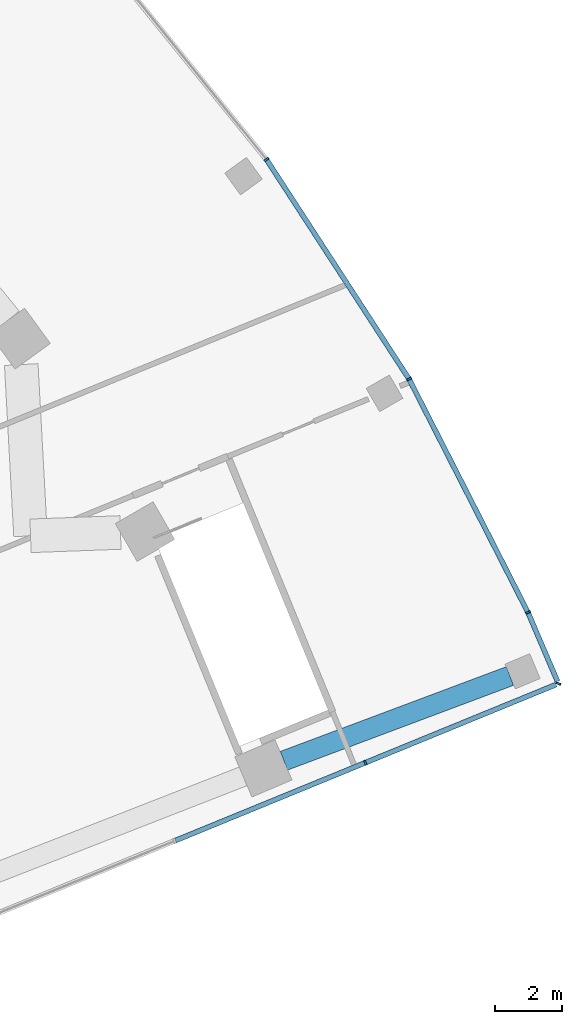
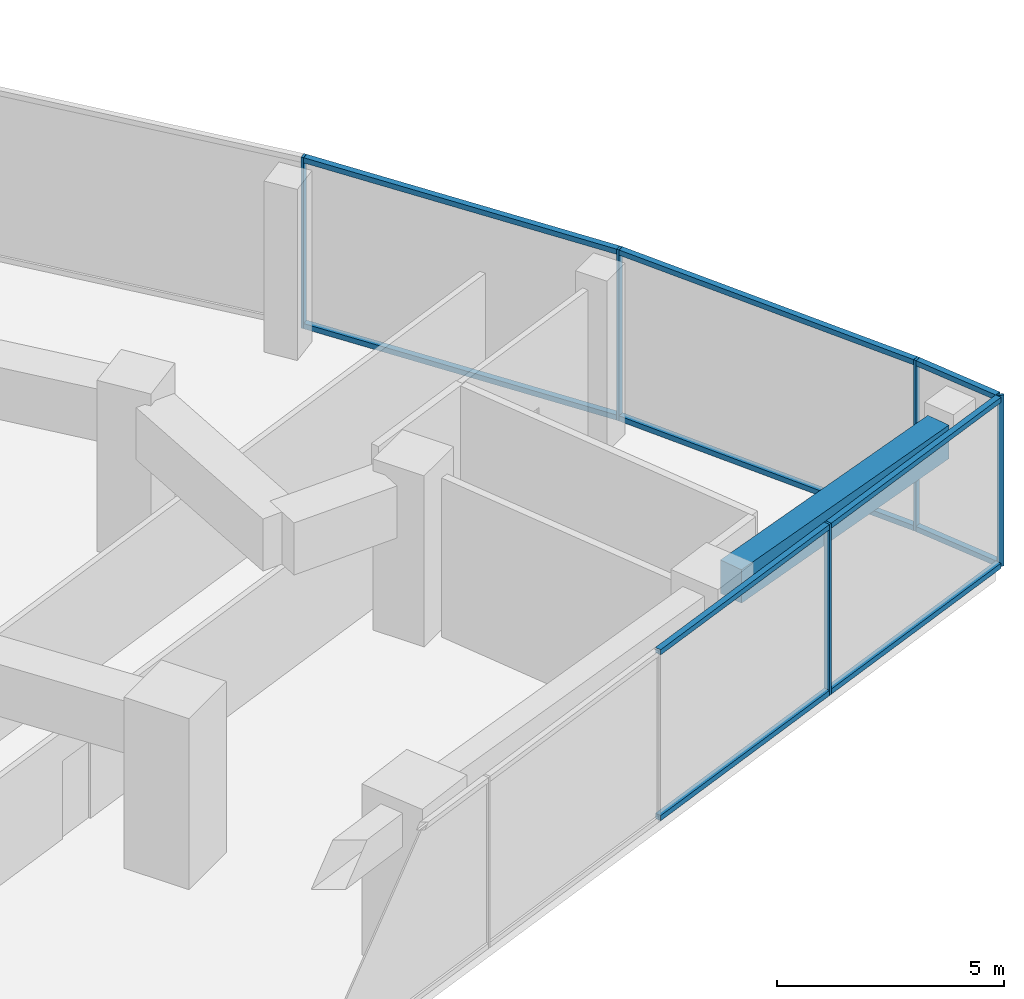
# One storey, part 17 of 33: 15 members, 1 beam, 2 elements without a shape of their own.
"""IFC4 building model written with IfcOpenShell, lengths in metres."""

from ifc_helpers import new_model, si_unit, direction, frame, origin, origin_2d, place, context, subcontext, project, spatial, rectangle, extrude, material, layer, layer_set, material_profile, profile_set, type_object, element, aggregate, save


model = new_model("IFC4")

# Units and contexts
model_context = context("Model", 3, precision=1e-05, world=origin(), true_north=direction((0.0, 1.0)))
body_context = subcontext(model_context, "Body", "Model", "MODEL_VIEW")
ifc_project = project(units=[si_unit("LENGTHUNIT", "METRE"), si_unit("AREAUNIT", "SQUARE_METRE"), si_unit("VOLUMEUNIT", "CUBIC_METRE"), si_unit("PLANEANGLEUNIT", "RADIAN"), si_unit("MASSUNIT", "GRAM", prefix="KILO")], contexts=[model_context])

# Site, building, storey
site_placement = place(None, origin())
site = spatial("IfcSite", under=ifc_project, at=site_placement, CompositionType="ELEMENT")
building_placement = place(site_placement, origin())
building = spatial("IfcBuilding", under=site, at=building_placement, Name="Stone Belt Terrace Tower", CompositionType="ELEMENT")
storey_placement = place(building_placement, frame((0.0, 0.0, 25.39990234375)))
storey = spatial("IfcBuildingStorey", under=building, at=storey_placement, Name="L05", CompositionType="ELEMENT", Elevation=25.39990234375)

# Curtain wall, member
ifc_material_1 = material(Name="Aluminium 6063-T6 anodised frame", Category="aluminium")
ifc_layer = layer(ifc_material_1, 0.14990234375)
ifc_layer_set = layer_set([ifc_layer], Name="CW-D podium shopfront")
curtain_wall_type = type_object("IfcCurtainWallType", Name="CW-D podium shopfront", PredefinedType="NOTDEFINED", material=ifc_layer_set)
curtain_wall_1_placement = place(storey_placement, origin())
curtain_wall_1 = element("IfcCurtainWall", 1, at=curtain_wall_1_placement, inside=storey, type_object=curtain_wall_type, Name="CW-D end face L05", PredefinedType="NOTDEFINED")
ifc_material_profile_1 = material_profile(ifc_material_1, rectangle(XDim=0.14990234375, YDim=0.06005859375, at=origin_2d()), Name="Aluminium 6063-T6 60x150")
ifc_profile_set_1 = profile_set([ifc_material_profile_1], Name="Aluminium 6063-T6 anodised frame")
member_type_1 = type_object("IfcMemberType", Name="CW-D mullion 60 x 150", PredefinedType="MULLION", material=ifc_profile_set_1)
member_1_placement = place(storey_placement, frame((63.279052734375, 25.8544921875, 0.0), z_axis=(0.0, 0.0, 1.0), x_axis=(-0.379243093825, 0.925297074342, 0.0)))
member_1 = element("IfcMember", 2, at=member_1_placement, type_object=member_type_1, Name="CW-D mullion 7", PredefinedType="MULLION", context=body_context, shape_type="SweptSolid", body=[
    extrude(rectangle(XDim=0.14990234375, YDim=0.06005859375, at=origin_2d()), origin(), (0.0, 0.0, 1.0), 4.60009765625),
])

# Curtain wall, members
curtain_wall_2_placement = place(storey_placement, origin())
curtain_wall_2 = element("IfcCurtainWall", 3, at=curtain_wall_2_placement, inside=storey, type_object=curtain_wall_type, Name="CW-D convex face L05", PredefinedType="NOTDEFINED")
member_2_placement = place(storey_placement, frame((69.033447265625, 28.213134765625, 0.0), z_axis=(0.0, 0.0, 1.0), x_axis=(-0.925309719849, 0.379212239192, 0.0)))
member_2 = element("IfcMember", 4, at=member_2_placement, type_object=member_type_1, Name="CW-D mullion 1", PredefinedType="MULLION", context=body_context, shape_type="SweptSolid", body=[
    extrude(rectangle(XDim=0.14990234375, YDim=0.06005859375, at=origin_2d()), origin(), (0.0, 0.0, 1.0), 4.60009765625),
])
member_3_placement = place(storey_placement, frame((68.127197265625, 30.333740234375, 0.0), z_axis=(0.0, 0.0, 1.0), x_axis=(-0.905778201442, -0.423752108895, 0.0)))
member_3 = element("IfcMember", 5, at=member_3_placement, type_object=member_type_1, Name="CW-D mullion 2", PredefinedType="MULLION", context=body_context, shape_type="SweptSolid", body=[
    extrude(rectangle(XDim=0.14990234375, YDim=0.06005859375, at=origin_2d()), origin(), (0.0, 0.0, 1.0), 4.60009765625),
])
member_4_placement = place(storey_placement, frame((64.583984375, 37.28759765625, 0.0), z_axis=(0.0, 0.0, 1.0), x_axis=(-0.866025403784, -0.5, 0.0)))
member_4 = element("IfcMember", 6, at=member_4_placement, type_object=member_type_1, Name="CW-D mullion 3", PredefinedType="MULLION", context=body_context, shape_type="SweptSolid", body=[
    extrude(rectangle(XDim=0.14990234375, YDim=0.06005859375, at=origin_2d()), origin(), (0.0, 0.0, 1.0), 4.60009765625),
])
member_5_placement = place(storey_placement, frame((60.33251953125, 43.834228515625, 0.0), z_axis=(0.0, 0.0, 1.0), x_axis=(-0.809016994375, -0.587785252292, 0.0)))
member_5 = element("IfcMember", 7, at=member_5_placement, type_object=member_type_1, Name="CW-D mullion 4", PredefinedType="MULLION", context=body_context, shape_type="SweptSolid", body=[
    extrude(rectangle(XDim=0.14990234375, YDim=0.06005859375, at=origin_2d()), origin(), (0.0, 0.0, 1.0), 4.60009765625),
])

# Member
ifc_material_profile_2 = material_profile(ifc_material_1, rectangle(XDim=0.14990234375, YDim=0.139892578125, at=origin_2d()), Name="Aluminium 6063-T6 150x140")
ifc_profile_set_2 = profile_set([ifc_material_profile_2], Name="Aluminium 6063-T6 anodised frame")
member_type_2 = type_object("IfcMemberType", Name="CW-D transom 140 x 150", PredefinedType="USERDEFINED", material=ifc_profile_set_2)
member_6_placement = place(storey_placement, frame((57.622802734375, 23.536376953125, 0.070068359375), z_axis=(0.925301906439, 0.37923130401, 0.0), x_axis=(-0.37923130401, 0.925301906439, 0.0)))
member_6 = element("IfcMember", 8, at=member_6_placement, type_object=member_type_2, Name="CW-D transom 6.1", ObjectType="TRANSOM", PredefinedType="USERDEFINED", context=body_context, shape_type="SweptSolid", body=[
    extrude(rectangle(XDim=0.14990234375, YDim=0.139892578125, at=origin_2d()), origin(), (0.0, 0.0, 1.0), 6.0830078125),
])

member_7_placement = place(storey_placement, frame((57.622802734375, 23.536376953125, 4.530029296875), z_axis=(0.925301906439, 0.37923130401, 0.0), x_axis=(-0.37923130401, 0.925301906439, 0.0)))
member_7 = element("IfcMember", 9, at=member_7_placement, type_object=member_type_2, Name="CW-D transom 6.2", ObjectType="TRANSOM", PredefinedType="USERDEFINED", context=body_context, shape_type="SweptSolid", body=[
    extrude(rectangle(XDim=0.14990234375, YDim=0.139892578125, at=origin_2d()), origin(), (0.0, 0.0, 1.0), 6.0830078125),
])

member_8_placement = place(storey_placement, frame((63.306884765625, 25.865966796875, 0.070068359375), z_axis=(0.925298707368, 0.379239109458, 0.0), x_axis=(-0.379239109458, 0.925298707368, 0.0)))
member_8 = element("IfcMember", 10, at=member_8_placement, type_object=member_type_2, Name="CW-D transom 7.1", ObjectType="TRANSOM", PredefinedType="USERDEFINED", context=body_context, shape_type="SweptSolid", body=[
    extrude(rectangle(XDim=0.14990234375, YDim=0.139892578125, at=origin_2d()), origin(), (0.0, 0.0, 1.0), 6.114501953125),
])

member_9_placement = place(storey_placement, frame((63.306884765625, 25.865966796875, 4.530029296875), z_axis=(0.925298707368, 0.379239109458, 0.0), x_axis=(-0.379239109458, 0.925298707368, 0.0)))
member_9 = element("IfcMember", 11, at=member_9_placement, type_object=member_type_2, Name="CW-D transom 7.2", ObjectType="TRANSOM", PredefinedType="USERDEFINED", context=body_context, shape_type="SweptSolid", body=[
    extrude(rectangle(XDim=0.14990234375, YDim=0.139892578125, at=origin_2d()), origin(), (0.0, 0.0, 1.0), 6.114501953125),
])

aggregate(curtain_wall_1, [member_1, member_6, member_7, member_8, member_9])

member_10_placement = place(storey_placement, frame((69.004150390625, 28.281494140625, 0.070068359375), z_axis=(-0.39299460879, 0.919540775312, 0.0), x_axis=(-0.919540775312, -0.39299460879, 0.0)))
member_10 = element("IfcMember", 12, at=member_10_placement, type_object=member_type_2, Name="CW-D transom 1.1", ObjectType="TRANSOM", PredefinedType="USERDEFINED", context=body_context, shape_type="SweptSolid", body=[
    extrude(rectangle(XDim=0.14990234375, YDim=0.139892578125, at=origin_2d()), origin(), (0.0, 0.0, 1.0), 2.19921875),
])

member_11_placement = place(storey_placement, frame((69.004150390625, 28.281494140625, 4.530029296875), z_axis=(-0.39299460879, 0.919540775312, 0.0), x_axis=(-0.919540775312, -0.39299460879, 0.0)))
member_11 = element("IfcMember", 13, at=member_11_placement, type_object=member_type_2, Name="CW-D transom 1.2", ObjectType="TRANSOM", PredefinedType="USERDEFINED", context=body_context, shape_type="SweptSolid", body=[
    extrude(rectangle(XDim=0.14990234375, YDim=0.139892578125, at=origin_2d()), origin(), (0.0, 0.0, 1.0), 2.19921875),
])

member_12_placement = place(storey_placement, frame((68.1123046875, 30.362548828125, 0.070068359375), z_axis=(-0.453977770034, 0.891013010183, 0.0), x_axis=(-0.891013010183, -0.453977770034, 0.0)))
member_12 = element("IfcMember", 14, at=member_12_placement, type_object=member_type_2, Name="CW-D transom 2.1", ObjectType="TRANSOM", PredefinedType="USERDEFINED", context=body_context, shape_type="SweptSolid", body=[
    extrude(rectangle(XDim=0.14990234375, YDim=0.139892578125, at=origin_2d()), origin(), (0.0, 0.0, 1.0), 7.738037109375),
])

member_13_placement = place(storey_placement, frame((68.1123046875, 30.362548828125, 4.530029296875), z_axis=(-0.453977770034, 0.891013010183, 0.0), x_axis=(-0.891013010183, -0.453977770034, 0.0)))
member_13 = element("IfcMember", 15, at=member_13_placement, type_object=member_type_2, Name="CW-D transom 2.2", ObjectType="TRANSOM", PredefinedType="USERDEFINED", context=body_context, shape_type="SweptSolid", body=[
    extrude(rectangle(XDim=0.14990234375, YDim=0.139892578125, at=origin_2d()), origin(), (0.0, 0.0, 1.0), 7.738037109375),
])

member_14_placement = place(storey_placement, frame((64.5654296875, 37.31591796875, 0.070068359375), z_axis=(-0.54462677088, 0.83867853224, 0.0), x_axis=(-0.83867853224, -0.54462677088, 0.0)))
member_14 = element("IfcMember", 16, at=member_14_placement, type_object=member_type_2, Name="CW-D transom 3.1", ObjectType="TRANSOM", PredefinedType="USERDEFINED", context=body_context, shape_type="SweptSolid", body=[
    extrude(rectangle(XDim=0.14990234375, YDim=0.139892578125, at=origin_2d()), origin(), (0.0, 0.0, 1.0), 7.738037109375),
])

member_15_placement = place(storey_placement, frame((64.5654296875, 37.31591796875, 4.530029296875), z_axis=(-0.54462677088, 0.83867853224, 0.0), x_axis=(-0.83867853224, -0.54462677088, 0.0)))
member_15 = element("IfcMember", 17, at=member_15_placement, type_object=member_type_2, Name="CW-D transom 3.2", ObjectType="TRANSOM", PredefinedType="USERDEFINED", context=body_context, shape_type="SweptSolid", body=[
    extrude(rectangle(XDim=0.14990234375, YDim=0.139892578125, at=origin_2d()), origin(), (0.0, 0.0, 1.0), 7.738037109375),
])

aggregate(curtain_wall_2, [member_2, member_3, member_4, member_5, member_10, member_11, member_12, member_13, member_14, member_15])

# Beam
ifc_material_2 = material(Name="Concrete B60", Category="concrete")
ifc_material_profile_3 = material_profile(ifc_material_2, rectangle(XDim=0.60009765625, YDim=0.89990234375, at=origin_2d()), Name="RC 600x900")
ifc_profile_set_3 = profile_set([ifc_material_profile_3], Name="Concrete B60")
beam_type = type_object("IfcBeamType", Name="Edge beam RC 600x900 B60", PredefinedType="SPANDREL", material=ifc_profile_set_3)
beam_placement = place(storey_placement, frame((60.85107421875, 25.913330078125, 3.830078125), z_axis=(0.936357063025, 0.351049071389, 0.0), x_axis=(-0.351049071389, 0.936357063025, 0.0)))
element("IfcBeam", 18, at=beam_placement, inside=storey, type_object=beam_type, Name="Edge beam L05 B R to S", PredefinedType="SPANDREL", context=body_context, shape_type="SweptSolid", body=[
    extrude(rectangle(XDim=0.60009765625, YDim=0.89990234375, at=origin_2d()), origin(), (0.0, 0.0, 1.0), 7.1953125),
])

save(model, "model.ifc")
